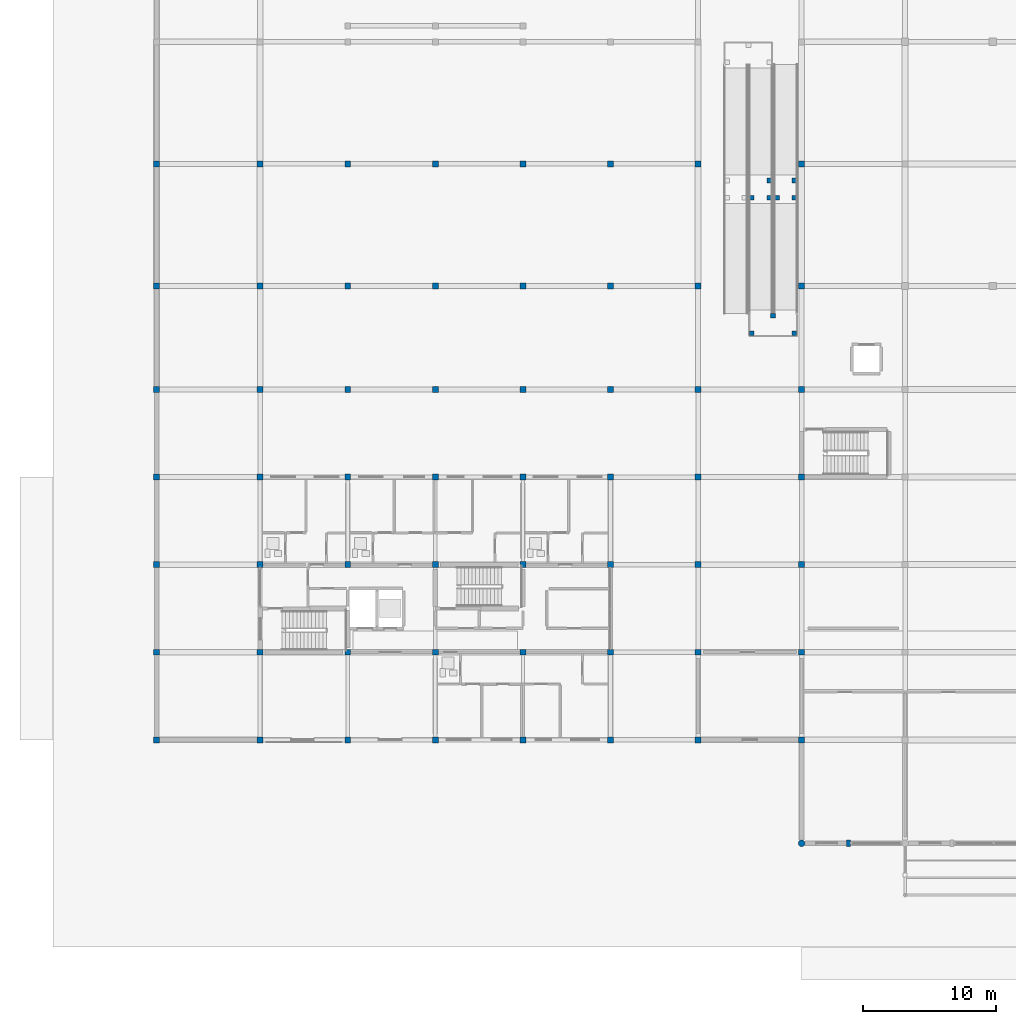
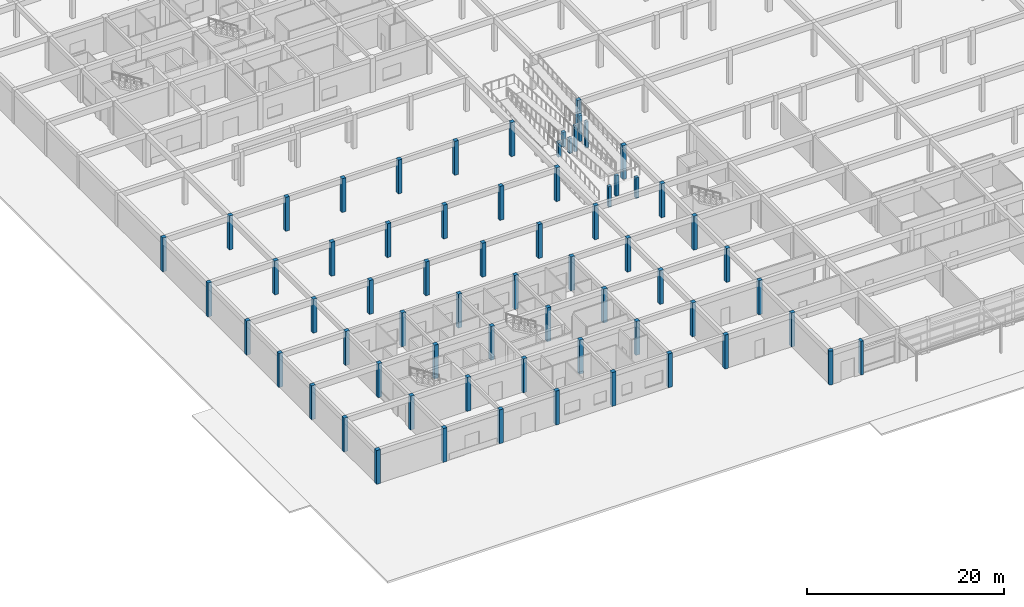
# One storey, part 1 of 75: 67 columns.
"""IFC4 building model written with IfcOpenShell, lengths in metres."""

from ifc_helpers import new_model, si_unit, direction, frame, origin, origin_2d, place, context, subcontext, project, spatial, rectangle, circle, extrude, material, material_profile, profile_set, type_object, element, save


model = new_model("IFC4")

# Units and contexts
model_context = context("Model", 3, precision=1e-05, world=origin(), true_north=direction((0.0, 1.0)))
body_context = subcontext(model_context, "Body", "Model", "MODEL_VIEW")
ifc_project = project(units=[si_unit("LENGTHUNIT", "METRE"), si_unit("AREAUNIT", "SQUARE_METRE"), si_unit("VOLUMEUNIT", "CUBIC_METRE"), si_unit("PLANEANGLEUNIT", "RADIAN"), si_unit("MASSUNIT", "GRAM", prefix="KILO")], contexts=[model_context])

# Site, building, storey
site_placement = place(None, origin())
site = spatial("IfcSite", under=ifc_project, at=site_placement, CompositionType="ELEMENT")
building_placement = place(site_placement, origin())
building = spatial("IfcBuilding", under=site, at=building_placement, Name="Kernevlak Ridge Housing Community", CompositionType="ELEMENT")
storey_placement = place(building_placement, origin())
storey = spatial("IfcBuildingStorey", under=building, at=storey_placement, Name="L00", CompositionType="ELEMENT", Elevation=0.0)

# Columns
ifc_material = material(Name="Concrete C35/45", Category="concrete")
ifc_material_profile_1 = material_profile(ifc_material, rectangle(XDim=0.449951171875, YDim=0.449951171875, at=origin_2d()), Name="RC 450x450")
ifc_profile_set_1 = profile_set([ifc_material_profile_1], Name="Concrete C35/45")
column_type_1 = type_object("IfcColumnType", Name="C-04", PredefinedType="COLUMN", material=ifc_profile_set_1)
for number, where, z_axis, x_axis, name in (
    (1, (15.60009765625, 15.60009765625, 0.0), (0.0, 0.0, 1.0), (1.0, 0.0, 0.0), "Column C-04 COL-D-L00-00-0"),
    (2, (15.60009765625, 22.199951171875, 0.0), (0.0, 0.0, 1.0), (1.0, 0.0, 0.0), "Column C-04 COL-D-L00-00-1"),
    (3, (15.60009765625, 28.800048828125, 0.0), (0.0, 0.0, 1.0), (1.0, 0.0, 0.0), "Column C-04 COL-D-L00-00-2"),
    (4, (15.60009765625, 35.39990234375, 0.0), (0.0, 0.0, 1.0), (1.0, 0.0, 0.0), "Column C-04 COL-D-L00-00-3"),
    (5, (22.199951171875, 15.60009765625, 0.0), (0.0, 0.0, 1.0), (1.0, 0.0, 0.0), "Column C-04 COL-D-L00-01-0"),
    (6, (22.199951171875, 22.199951171875, 0.0), (0.0, 0.0, 1.0), (1.0, 0.0, 0.0), "Column C-04 COL-D-L00-01-1"),
    (7, (22.199951171875, 28.800048828125, 0.0), (0.0, 0.0, 1.0), (1.0, 0.0, 0.0), "Column C-04 COL-D-L00-01-2"),
    (8, (22.199951171875, 35.39990234375, 0.0), (0.0, 0.0, 1.0), (1.0, 0.0, 0.0), "Column C-04 COL-D-L00-01-3"),
    (9, (28.800048828125, 15.60009765625, 0.0), (0.0, 0.0, 1.0), (1.0, 0.0, 0.0), "Column C-04 COL-D-L00-02-0"),
    (10, (28.800048828125, 22.199951171875, 0.0), (0.0, 0.0, 1.0), (1.0, 0.0, 0.0), "Column C-04 COL-D-L00-02-1"),
    (11, (28.800048828125, 28.800048828125, 0.0), (0.0, 0.0, 1.0), (1.0, 0.0, 0.0), "Column C-04 COL-D-L00-02-2"),
    (12, (28.800048828125, 35.39990234375, 0.0), (0.0, 0.0, 1.0), (1.0, 0.0, 0.0), "Column C-04 COL-D-L00-02-3"),
    (13, (35.39990234375, 15.60009765625, 0.0), (0.0, 0.0, 1.0), (1.0, 0.0, 0.0), "Column C-04 COL-D-L00-03-0"),
    (14, (35.39990234375, 22.199951171875, 0.0), (0.0, 0.0, 1.0), (1.0, 0.0, 0.0), "Column C-04 COL-D-L00-03-1"),
    (15, (35.39990234375, 28.800048828125, 0.0), (0.0, 0.0, 1.0), (1.0, 0.0, 0.0), "Column C-04 COL-D-L00-03-2"),
    (16, (35.39990234375, 35.39990234375, 0.0), (0.0, 0.0, 1.0), (1.0, 0.0, 0.0), "Column C-04 COL-D-L00-03-3"),
    (17, (42.0, 15.60009765625, 0.0), (0.0, 0.0, 1.0), (1.0, 0.0, 0.0), "Column C-04 COL-D-L00-04-0"),
    (18, (42.0, 22.199951171875, 0.0), (0.0, 0.0, 1.0), (1.0, 0.0, 0.0), "Column C-04 COL-D-L00-04-1"),
    (19, (42.0, 28.800048828125, 0.0), (0.0, 0.0, 1.0), (1.0, 0.0, 0.0), "Column C-04 COL-D-L00-04-2"),
    (20, (42.0, 35.39990234375, 0.0), (0.0, 0.0, 1.0), (1.0, 0.0, 0.0), "Column C-04 COL-D-L00-04-3"),
    (21, (7.800048828125, 15.60009765625, 0.0), (0.0, 0.0, 1.0), (1.0, 0.0, 0.0), "Column C-04 COL-POD-L00-019"),
    (22, (7.800048828125, 22.199951171875, 0.0), (0.0, 0.0, 1.0), (1.0, 0.0, 0.0), "Column C-04 COL-POD-L00-020"),
    (23, (7.800048828125, 28.800048828125, 0.0), (0.0, 0.0, 1.0), (1.0, 0.0, 0.0), "Column C-04 COL-POD-L00-021"),
    (24, (7.800048828125, 35.39990234375, 0.0), (0.0, 0.0, 1.0), (1.0, 0.0, 0.0), "Column C-04 COL-POD-L00-022"),
    (25, (7.800048828125, 42.0, 0.0), (0.0, 0.0, 1.0), (1.0, 0.0, 0.0), "Column C-04 COL-POD-L00-023"),
    (26, (7.800048828125, 49.800048828125, 0.0), (0.0, 0.0, 1.0), (1.0, 0.0, 0.0), "Column C-04 COL-POD-L00-024"),
    (27, (7.800048828125, 59.0, 0.0), (0.0, 0.0, 1.0), (1.0, 0.0, 0.0), "Column C-04 COL-POD-L00-025"),
    (28, (15.60009765625, 42.0, 0.0), (0.0, 0.0, 1.0), (1.0, 0.0, 0.0), "Column C-04 COL-POD-L00-036"),
    (29, (15.60009765625, 49.800048828125, 0.0), (0.0, 0.0, 1.0), (1.0, 0.0, 0.0), "Column C-04 COL-POD-L00-037"),
    (30, (15.60009765625, 59.0, 0.0), (0.0, 0.0, 1.0), (1.0, 0.0, 0.0), "Column C-04 COL-POD-L00-038"),
    (31, (22.199951171875, 42.0, 0.0), (0.0, 0.0, 1.0), (1.0, 0.0, 0.0), "Column C-04 COL-POD-L00-045"),
    (32, (22.199951171875, 49.800048828125, 0.0), (0.0, 0.0, 1.0), (1.0, 0.0, 0.0), "Column C-04 COL-POD-L00-046"),
    (33, (22.199951171875, 59.0, 0.0), (0.0, 0.0, 1.0), (1.0, 0.0, 0.0), "Column C-04 COL-POD-L00-047"),
    (34, (28.800048828125, 42.0, 0.0), (0.0, 0.0, 1.0), (1.0, 0.0, 0.0), "Column C-04 COL-POD-L00-054"),
    (35, (28.800048828125, 49.800048828125, 0.0), (0.0, 0.0, 1.0), (1.0, 0.0, 0.0), "Column C-04 COL-POD-L00-055"),
    (36, (28.800048828125, 59.0, 0.0), (0.0, 0.0, 1.0), (1.0, 0.0, 0.0), "Column C-04 COL-POD-L00-056"),
    (37, (35.39990234375, 42.0, 0.0), (0.0, 0.0, 1.0), (1.0, 0.0, 0.0), "Column C-04 COL-POD-L00-063"),
    (38, (35.39990234375, 49.800048828125, 0.0), (0.0, 0.0, 1.0), (1.0, 0.0, 0.0), "Column C-04 COL-POD-L00-064"),
    (39, (35.39990234375, 59.0, 0.0), (0.0, 0.0, 1.0), (1.0, 0.0, 0.0), "Column C-04 COL-POD-L00-065"),
    (40, (42.0, 42.0, 0.0), (0.0, 0.0, 1.0), (1.0, 0.0, 0.0), "Column C-04 COL-POD-L00-072"),
    (41, (42.0, 49.800048828125, 0.0), (0.0, 0.0, 1.0), (1.0, 0.0, 0.0), "Column C-04 COL-POD-L00-073"),
    (42, (42.0, 59.0, 0.0), (0.0, 0.0, 1.0), (1.0, 0.0, 0.0), "Column C-04 COL-POD-L00-074"),
    (43, (48.60009765625, 15.60009765625, 0.0), (0.0, 0.0, 1.0), (1.0, 0.0, 0.0), "Column C-04 COL-POD-L00-081"),
    (44, (48.60009765625, 22.199951171875, 0.0), (0.0, 0.0, 1.0), (1.0, 0.0, 0.0), "Column C-04 COL-POD-L00-082"),
    (45, (48.60009765625, 28.800048828125, 0.0), (0.0, 0.0, 1.0), (1.0, 0.0, 0.0), "Column C-04 COL-POD-L00-083"),
    (46, (48.60009765625, 35.39990234375, 0.0), (0.0, 0.0, 1.0), (1.0, 0.0, 0.0), "Column C-04 COL-POD-L00-084"),
    (47, (48.60009765625, 42.0, 0.0), (0.0, 0.0, 1.0), (1.0, 0.0, 0.0), "Column C-04 COL-POD-L00-085"),
    (48, (48.60009765625, 49.800048828125, 0.0), (0.0, 0.0, 1.0), (1.0, 0.0, 0.0), "Column C-04 COL-POD-L00-086"),
    (49, (48.60009765625, 59.0, 0.0), (0.0, 0.0, 1.0), (1.0, 0.0, 0.0), "Column C-04 COL-POD-L00-087"),
    (50, (56.39990234375, 15.60009765625, 0.0), (0.0, 0.0, 1.0), (1.0, 0.0, 0.0), "Column C-04 COL-POD-L00-094"),
    (51, (56.39990234375, 22.199951171875, 0.0), (0.0, 0.0, 1.0), (1.0, 0.0, 0.0), "Column C-04 COL-POD-L00-095"),
    (52, (56.39990234375, 28.800048828125, 0.0), (0.0, 0.0, 1.0), (1.0, 0.0, 0.0), "Column C-04 COL-POD-L00-096"),
    (53, (56.39990234375, 35.39990234375, 0.0), (0.0, 0.0, 1.0), (1.0, 0.0, 0.0), "Column C-04 COL-POD-L00-097"),
    (54, (56.39990234375, 42.0, 0.0), (0.0, 0.0, 1.0), (1.0, 0.0, 0.0), "Column C-04 COL-POD-L00-098"),
    (55, (56.39990234375, 49.800048828125, 0.0), (0.0, 0.0, 1.0), (1.0, 0.0, 0.0), "Column C-04 COL-POD-L00-099"),
    (56, (56.39990234375, 59.0, 0.0), (0.0, 0.0, 1.0), (1.0, 0.0, 0.0), "Column C-04 COL-POD-L00-100"),
):
    element("IfcColumn", number, at=place(storey_placement, frame(where, z_axis=z_axis, x_axis=x_axis)), inside=storey, type_object=column_type_1, Name=name, PredefinedType="COLUMN", context=body_context, shape_type="SweptSolid", body=[
        extrude(rectangle(XDim=0.449951171875, YDim=0.449951171875, at=origin_2d()), origin(), (0.0, 0.0, 1.0), 4.199951171875),
    ])
ifc_material_profile_2 = material_profile(ifc_material, rectangle(XDim=0.35009765625, YDim=0.35009765625, at=origin_2d()), Name="RC 350x350")
ifc_profile_set_2 = profile_set([ifc_material_profile_2], Name="Concrete C35/45")
column_type_2 = type_object("IfcColumnType", Name="C-06", PredefinedType="COLUMN", material=ifc_profile_set_2)
for number, where, z_axis, x_axis, name in (
    (57, (52.64990234375, 56.449951171875, 0.0), (0.0, 0.0, 1.0), (1.0, 0.0, 0.0), "Column C-06 COL-RMP-L00-07"),
    (58, (53.949951171875, 56.449951171875, 0.0), (0.0, 0.0, 1.0), (1.0, 0.0, 0.0), "Column C-06 COL-RMP-L00-08"),
    (59, (53.949951171875, 57.75, 0.0), (0.0, 0.0, 1.0), (1.0, 0.0, 0.0), "Column C-06 COL-RMP-L00-09"),
):
    element("IfcColumn", number, at=place(storey_placement, frame(where, z_axis=z_axis, x_axis=x_axis)), inside=storey, type_object=column_type_2, Name=name, PredefinedType="COLUMN", context=body_context, shape_type="SweptSolid", body=[
        extrude(rectangle(XDim=0.35009765625, YDim=0.35009765625, at=origin_2d()), origin(), (0.0, 0.0, 1.0), 1.840087890625),
    ])
for number, where, z_axis, x_axis, name in (
    (60, (52.64990234375, 46.25, 0.0), (0.0, 0.0, 1.0), (1.0, 0.0, 0.0), "Column C-06 COL-RMP-L00-10"),
    (61, (55.85009765625, 46.25, 0.0), (0.0, 0.0, 1.0), (1.0, 0.0, 0.0), "Column C-06 COL-RMP-L00-11"),
    (62, (54.25, 47.550048828125, 0.0), (0.0, 0.0, 1.0), (1.0, 0.0, 0.0), "Column C-06 COL-RMP-L00-12"),
):
    element("IfcColumn", number, at=place(storey_placement, frame(where, z_axis=z_axis, x_axis=x_axis)), inside=storey, type_object=column_type_2, Name=name, PredefinedType="COLUMN", context=body_context, shape_type="SweptSolid", body=[
        extrude(rectangle(XDim=0.35009765625, YDim=0.35009765625, at=origin_2d()), origin(), (0.0, 0.0, 1.0), 2.5400390625),
    ])
for number, where, z_axis, x_axis, name in (
    (63, (54.550048828125, 56.449951171875, 0.0), (0.0, 0.0, 1.0), (1.0, 0.0, 0.0), "Column C-06 COL-RMP-L00-13"),
    (64, (55.85009765625, 56.449951171875, 0.0), (0.0, 0.0, 1.0), (1.0, 0.0, 0.0), "Column C-06 COL-RMP-L00-14"),
    (65, (55.85009765625, 57.75, 0.0), (0.0, 0.0, 1.0), (1.0, 0.0, 0.0), "Column C-06 COL-RMP-L00-15"),
):
    element("IfcColumn", number, at=place(storey_placement, frame(where, z_axis=z_axis, x_axis=x_axis)), inside=storey, type_object=column_type_2, Name=name, PredefinedType="COLUMN", context=body_context, shape_type="SweptSolid", body=[
        extrude(rectangle(XDim=0.35009765625, YDim=0.35009765625, at=origin_2d()), origin(), (0.0, 0.0, 1.0), 3.239990234375),
    ])
ifc_material_profile_3 = material_profile(ifc_material, circle(Radius=0.25, at=origin_2d()), Name="RC D500")
ifc_profile_set_3 = profile_set([ifc_material_profile_3], Name="Concrete C35/45")
column_type_3 = type_object("IfcColumnType", Name="C-10", PredefinedType="COLUMN", material=ifc_profile_set_3)
column_1_placement = place(storey_placement, frame((56.39990234375, 7.800048828125, 0.0), z_axis=(0.0, 0.0, 1.0), x_axis=(1.0, 0.0, 0.0)))
element("IfcColumn", 66, at=column_1_placement, inside=storey, type_object=column_type_3, Name="Column C-10 COL-POD-L00-093", PredefinedType="COLUMN", context=body_context, shape_type="SweptSolid", body=[
    extrude(circle(Radius=0.25, at=origin_2d()), origin(), (0.0, 0.0, 1.0), 4.199951171875),
])
ifc_material_profile_4 = material_profile(ifc_material, rectangle(XDim=0.300048828125, YDim=0.5, at=origin_2d()), Name="RC 300x500")
ifc_profile_set_4 = profile_set([ifc_material_profile_4], Name="Concrete C35/45")
column_type_4 = type_object("IfcColumnType", Name="C-11", PredefinedType="PILASTER", material=ifc_profile_set_4)
column_2_placement = place(storey_placement, frame((59.949951171875, 7.800048828125, 0.0), z_axis=(0.0, 0.0, 1.0), x_axis=(1.0, 0.0, 0.0)))
element("IfcColumn", 67, at=column_2_placement, inside=storey, type_object=column_type_4, Name="Column C-11 COL-PIL-L00-00", PredefinedType="PILASTER", context=body_context, shape_type="SweptSolid", body=[
    extrude(rectangle(XDim=0.300048828125, YDim=0.5, at=origin_2d()), origin(), (0.0, 0.0, 1.0), 4.199951171875),
])

save(model, "model.ifc")
